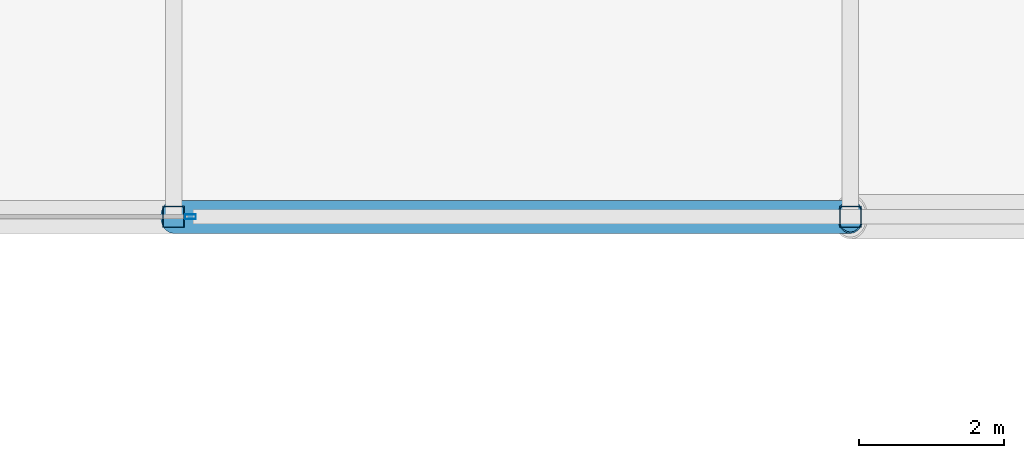
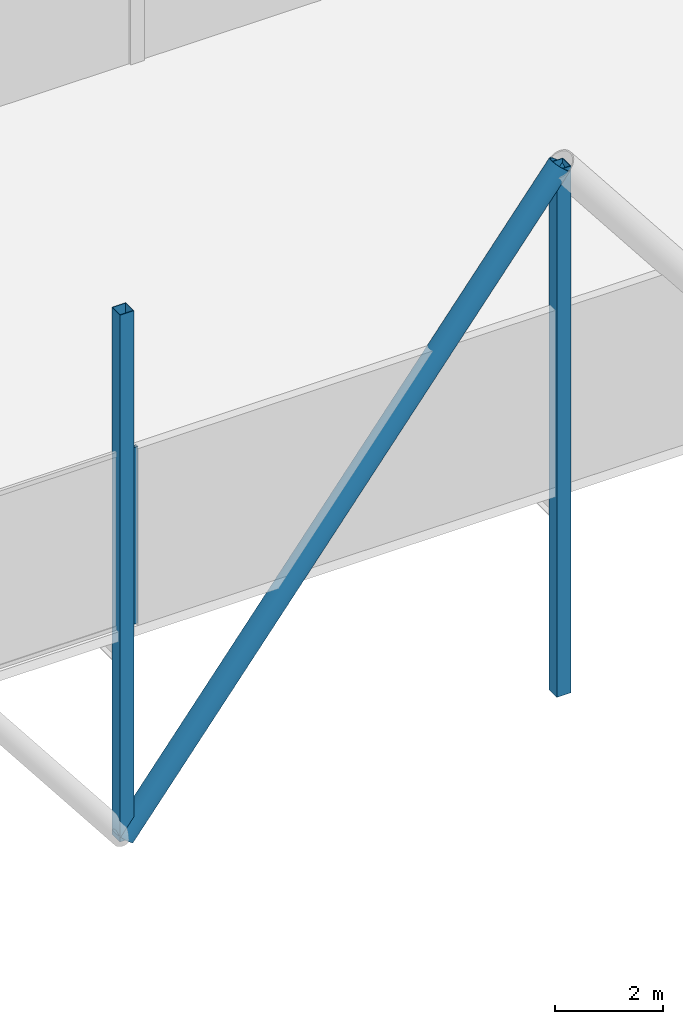
# One storey, part 21 of 53: 4 members, 1 element without a shape of its own.
"""IFC4 building model written with IfcOpenShell, lengths in metres."""

from ifc_helpers import new_model, si_unit, direction, frame, origin, origin_2d, place, context, subcontext, project, spatial, hollow_rectangle, hollow_circle, extrude, material, material_profile, profile_set, type_object, element, aggregate, save


model = new_model("IFC4")

# Units and contexts
model_context = context("Model", 3, precision=1e-05, world=origin(), true_north=direction((0.0, 1.0)))
body_context = subcontext(model_context, "Body", "Model", "MODEL_VIEW")
ifc_project = project(units=[si_unit("LENGTHUNIT", "METRE"), si_unit("AREAUNIT", "SQUARE_METRE"), si_unit("VOLUMEUNIT", "CUBIC_METRE"), si_unit("PLANEANGLEUNIT", "RADIAN"), si_unit("MASSUNIT", "GRAM", prefix="KILO")], contexts=[model_context])

# Site, building, storey
site_placement = place(None, origin())
site = spatial("IfcSite", under=ifc_project, at=site_placement, CompositionType="ELEMENT")
building_placement = place(site_placement, origin())
building = spatial("IfcBuilding", under=site, at=building_placement, Name="Tashvorn Skyway Center", CompositionType="ELEMENT")
storey_placement = place(building_placement, frame((0.0, 0.0, 255.39990234375)))
storey = spatial("IfcBuildingStorey", under=building, at=storey_placement, Name="L69", CompositionType="ELEMENT", Elevation=255.39990234375)

# Curtain wall, member
ifc_material_1 = material(Name="Thermally broken bronze-anodized aluminium 6063-T6", Category="aluminium")
curtain_wall_type = type_object("IfcCurtainWallType", Name="CW-CW-SKY", PredefinedType="NOTDEFINED", material=ifc_material_1)
curtain_wall_placement = place(storey_placement, origin())
curtain_wall = element("IfcCurtainWall", 1, at=curtain_wall_placement, inside=storey, type_object=curtain_wall_type, Name="Sky-Park L69 Bridge South Curtain Wall Glazing Group 2", PredefinedType="NOTDEFINED")
ifc_material_profile_1 = material_profile(ifc_material_1, hollow_rectangle(XDim=0.06494140625, YDim=0.14990234375, WallThickness=0.00390625, at=origin_2d()), Name="ALU-MULL-65x150")
ifc_profile_set_1 = profile_set([ifc_material_profile_1], Name="Thermally broken bronze-anodized aluminium 6063-T6")
member_type_1 = type_object("IfcMemberType", Name="CWM-CW-SKY", PredefinedType="MULLION", material=ifc_profile_set_1)
member_1_placement = place(storey_placement, frame((66.632568359375, 24.10009765625, 0.0), z_axis=(0.0, 0.0, 1.0), x_axis=(0.0, -1.0, 0.0)))
member_1 = element("IfcMember", 2, at=member_1_placement, type_object=member_type_1, Name="CW-SKY mullion 1", PredefinedType="MULLION", context=body_context, shape_type="SweptSolid", body=[
    extrude(hollow_rectangle(XDim=0.06494140625, YDim=0.14990234375, WallThickness=0.00390625, at=origin_2d()), origin(), (0.0, 0.0, 1.0), 4.0),
])
aggregate(curtain_wall, [member_1])

# Members
ifc_material_2 = material(Name="Steel ASTM A572 Grade 50", Category="steel")
ifc_material_profile_2 = material_profile(ifc_material_2, hollow_circle(Radius=0.228515625, WallThickness=0.02001953125, at=origin_2d()), Name="CHS457x20")
ifc_profile_set_2 = profile_set([ifc_material_profile_2], Name="Steel ASTM A572 Grade 50")
member_type_2 = type_object("IfcMemberType", Name="MEM-SP-DIA-457", PredefinedType="BRACE", material=ifc_profile_set_2)
member_2_placement = place(storey_placement, frame((66.39990234375, 24.10009765625, -4.725341796875), z_axis=(0.617186496438, 0.0, 0.786816896498), x_axis=(0.0, 1.0, 0.0)))
element("IfcMember", 3, at=member_2_placement, inside=storey, type_object=member_type_2, Name="Sky-Park Truss 1 Web Diagonal 07", PredefinedType="BRACE", context=body_context, shape_type="SweptSolid", body=[
    extrude(hollow_circle(Radius=0.228515625, WallThickness=0.02001953125, at=origin_2d()), origin(), (0.0, 0.0, 1.0), 15.149658203125),
])
ifc_material_profile_3 = material_profile(ifc_material_2, hollow_rectangle(XDim=0.300048828125, YDim=0.300048828125, WallThickness=0.012451171875, at=origin_2d()), Name="HSS300x300x12.5")
ifc_profile_set_3 = profile_set([ifc_material_profile_3], Name="Steel ASTM A572 Grade 50")
member_type_3 = type_object("IfcMemberType", Name="MEM-SP-PST-300", PredefinedType="POST", material=ifc_profile_set_3)
for number, where, z_axis, x_axis, name in (
    (4, (66.39990234375, 24.10009765625, -4.725341796875), (0.0, 0.0, 1.0), (1.0, 0.0, 0.0), "Sky-Park Truss 1 Vertical Post 07"),
    (5, (75.75, 24.10009765625, -4.725341796875), (0.0, 0.0, 1.0), (1.0, 0.0, 0.0), "Sky-Park Truss 1 Vertical Post 08"),
):
    element("IfcMember", number, at=place(storey_placement, frame(where, z_axis=z_axis, x_axis=x_axis)), inside=storey, type_object=member_type_3, Name=name, PredefinedType="POST", context=body_context, shape_type="SweptSolid", body=[
        extrude(hollow_rectangle(XDim=0.300048828125, YDim=0.300048828125, WallThickness=0.012451171875, at=origin_2d()), origin(), (0.0, 0.0, 1.0), 11.919921875),
    ])

save(model, "model.ifc")
